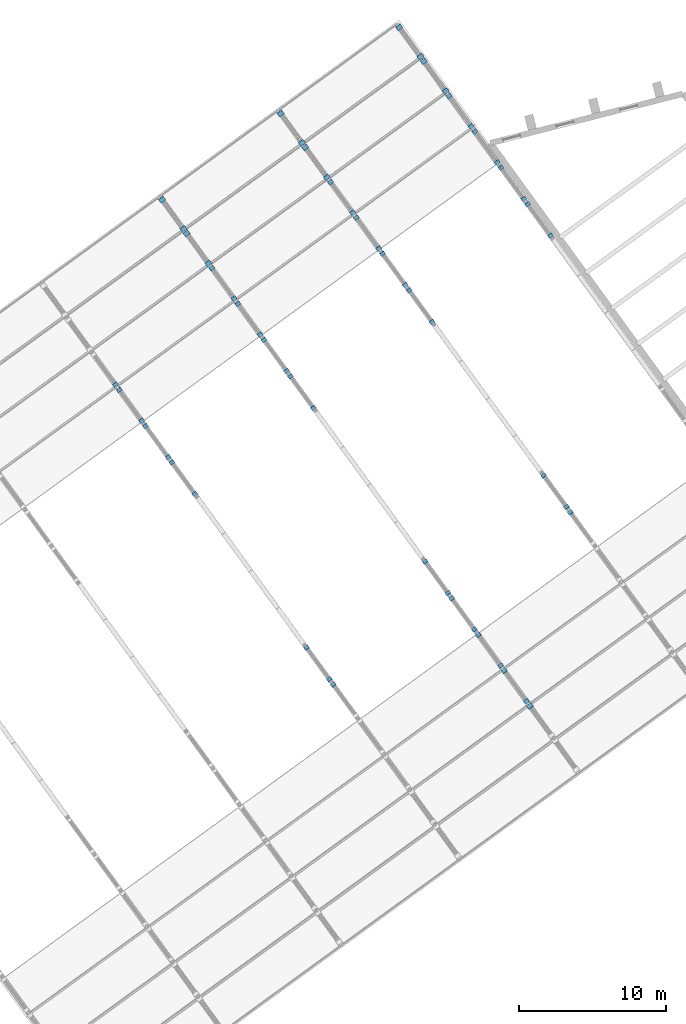
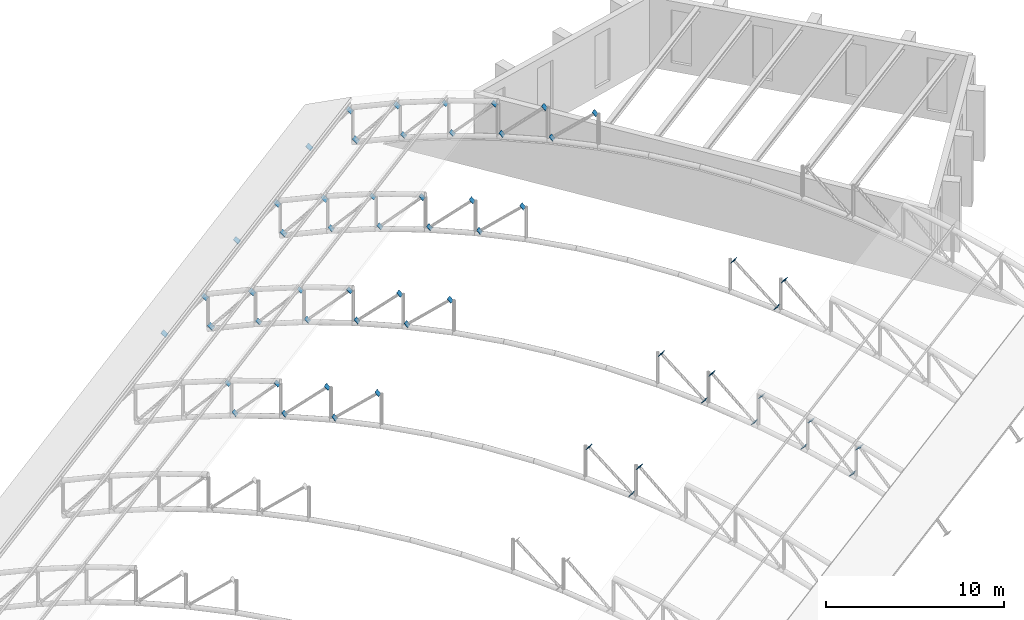
# One storey, part 66 of 69: 58 discrete accessories.
"""IFC4 building model written with IfcOpenShell, lengths in metres."""

import ifcopenshell
import ifcopenshell.guid

model = None  # the IFC model being written
_history = None  # IfcOwnerHistory: only IFC2X3 demands one
_inside = {}  # id of a spatial element -> (the spatial element, [elements in it])
_under = {}  # id of a project, library or spatial element -> (it, [spatial elements below it])
_declared = {}  # id of a project -> (the project, [libraries it declares])
_typed = {}  # id of a type object -> (the type object, [elements of that type])
_made_of = {}  # id of a material, layer set ... -> (it, [elements and type objects made of it])


def new_model(schema):
    """Start an empty IFC model of exactly this schema.

    Asked for "IFC4X3", IfcOpenShell would pick the latest addendum, in which some entities
    have other attributes; the version numbers below select the first issue.
    IFC2X3 requires an IfcOwnerHistory on every rooted entity: one is made here for all.
    """
    global model, _history
    if schema == "IFC4X3":
        model = ifcopenshell.file(schema_version=(4, 3, 0, 0))
    else:
        model = ifcopenshell.file(schema=schema)
    _inside.clear()
    _under.clear()
    _declared.clear()
    _typed.clear()
    _made_of.clear()
    _history = None
    if model.schema == "IFC2X3":
        org = make("IfcOrganization", Name="unknown")
        user = make(
            "IfcPersonAndOrganization",
            ThePerson=make("IfcPerson", FamilyName="unknown"),
            TheOrganization=org,
        )
        app = make(
            "IfcApplication",
            ApplicationDeveloper=org,
            Version="unknown",
            ApplicationFullName="unknown",
            ApplicationIdentifier="unknown",
        )
        _history = make(
            "IfcOwnerHistory",
            OwningUser=user,
            OwningApplication=app,
            ChangeAction="ADDED",
            CreationDate=0,
        )
    return model


def make(cls, **values):
    """One entity of the class cls with the attributes given. An attribute that is None is left unset."""
    return model.create_entity(
        cls, **{name: value for name, value in values.items() if value is not None}
    )


def rooted(cls, **values):
    """An entity with a GlobalId (a new one), such as an element, a storey or a relation."""
    return make(cls, GlobalId=ifcopenshell.guid.new(), OwnerHistory=_history, **values)


def si_unit(unit_type, name, prefix=None):
    """IfcSIUnit, for example si_unit("LENGTHUNIT", "METRE", prefix="MILLI")."""
    return make("IfcSIUnit", UnitType=unit_type, Prefix=prefix, Name=name)


def assignment(units):
    """IfcUnitAssignment: the units of a project."""
    return None if units is None else make("IfcUnitAssignment", Units=units)


def point(xyz):
    """IfcCartesianPoint."""
    return None if xyz is None else make("IfcCartesianPoint", Coordinates=xyz)


def direction(xyz):
    """IfcDirection."""
    return None if xyz is None else make("IfcDirection", DirectionRatios=xyz)


def frame(location, z_axis=None, x_axis=None):
    """IfcAxis2Placement3D, a coordinate frame: its origin and axes. An axis left out is left unset."""
    return make(
        "IfcAxis2Placement3D",
        Location=point(location),
        Axis=direction(z_axis),
        RefDirection=direction(x_axis),
    )


def frame_2d(location, x_axis=None):
    """IfcAxis2Placement2D, a coordinate frame in the plane: its origin and x axis."""
    return make(
        "IfcAxis2Placement2D", Location=point(location), RefDirection=direction(x_axis)
    )


def origin():
    """The frame at (0, 0, 0) with its axes left unset."""
    return frame((0.0, 0.0, 0.0))


def origin_2d():
    """The frame at (0, 0) in the plane with its x axis left unset."""
    return frame_2d((0.0, 0.0))


def place(relative_to, where):
    """IfcLocalPlacement: puts the frame where relative to a parent placement (None: the world)."""
    return make(
        "IfcLocalPlacement", PlacementRelTo=relative_to, RelativePlacement=where
    )


def context(
    kind, dimensions, precision=None, world=None, true_north=None, identifier=None
):
    """IfcGeometricRepresentationContext, for example the 3D "Model" context."""
    return make(
        "IfcGeometricRepresentationContext",
        ContextIdentifier=identifier,
        ContextType=kind,
        CoordinateSpaceDimension=dimensions,
        Precision=precision,
        WorldCoordinateSystem=world,
        TrueNorth=true_north,
    )


def subcontext(parent, identifier, kind, view, scale=None):
    """IfcGeometricRepresentationSubContext, for example "Body" below "Model"."""
    return make(
        "IfcGeometricRepresentationSubContext",
        ContextIdentifier=identifier,
        ContextType=kind,
        ParentContext=parent,
        TargetScale=scale,
        TargetView=view,
    )


def project(units=None, contexts=None):
    """IfcProject with its units and contexts."""
    return rooted(
        "IfcProject",
        Name="project",
        RepresentationContexts=contexts,
        UnitsInContext=assignment(units),
    )


def spatial(cls, under=None, at=None, **own):
    """A site, building, storey or space (cls), placed at a placement, below another one or the project."""
    s = rooted(cls, ObjectPlacement=at, **own)
    if under is not None:
        _under.setdefault(under.id(), (under, []))[1].append(s)
    return s


def profile(cls, at=None, kind="AREA", **sizes):
    """A parametric profile (cls). Its sizes go by their IFC names, for example OverallWidth=200.0."""
    return make(cls, ProfileType=kind, Position=at, **sizes)


def rectangle(**sizes):
    """IfcRectangleProfileDef."""
    return profile("IfcRectangleProfileDef", **sizes)


def extrude(swept, where, along, depth):
    """IfcExtrudedAreaSolid: the profile swept, set in the frame where, extruded along a direction by depth."""
    return make(
        "IfcExtrudedAreaSolid",
        SweptArea=swept,
        Position=where,
        ExtrudedDirection=direction(along),
        Depth=depth,
    )


def shape(context_of_items, identifier, shape_type, items):
    """IfcShapeRepresentation: the items that make up one representation, for example the "Body"."""
    return make(
        "IfcShapeRepresentation",
        ContextOfItems=context_of_items,
        RepresentationIdentifier=identifier,
        RepresentationType=shape_type,
        Items=items,
    )


def material(Name=None, Category=None):
    """IfcMaterial."""
    return make("IfcMaterial", Name=Name, Category=Category)


def layer(
    of_material, thickness, ventilated=None, Name=None, Category=None, Priority=None
):
    """IfcMaterialLayer: one layer of a wall or slab, of a material (None: an air gap)."""
    return make(
        "IfcMaterialLayer",
        Material=of_material,
        LayerThickness=thickness,
        IsVentilated=ventilated,
        Name=Name,
        Category=Category,
        Priority=Priority,
    )


def layer_set(layers, Name=None):
    """IfcMaterialLayerSet."""
    return make("IfcMaterialLayerSet", MaterialLayers=layers, LayerSetName=Name)


def made_of(thing, what):
    """Note that an element or type object is made of a material, layer set ...; save() writes the relation."""
    if what is not None:
        _made_of.setdefault(what.id(), (what, []))[1].append(thing)
    return thing


def type_object(cls, material=None, **own):
    """A type object (cls), such as IfcWallType, which elements share."""
    return made_of(rooted(cls, **own), material)


def element(
    cls,
    number,
    at=None,
    inside=None,
    cuts=None,
    type_object=None,
    material=None,
    context=None,
    identifier="Body",
    shape_type=None,
    held_by="IfcProductDefinitionShape",
    body=None,
    shapes=None,
    **own,
):
    """One element of the class cls, such as IfcWall. Its Tag is "e" and its number.

    at: its placement. inside: the storey or other place that contains it. cuts: it is an
    opening in that element (IfcRelVoidsElement). A single representation is given by context,
    identifier, shape_type and body (its items); several are given by shapes. held_by: the class
    of the entity that holds the representations. save() writes the other relations.
    """
    e = rooted(cls, Tag="e%d" % number, ObjectPlacement=at, **own)
    if body is not None:
        shapes = [shape(context, identifier, shape_type, body)]
    if shapes is not None:
        e.Representation = make(held_by, Representations=shapes)
    if inside is not None:
        _inside.setdefault(inside.id(), (inside, []))[1].append(e)
    if cuts is not None:
        rooted(
            "IfcRelVoidsElement", RelatingBuildingElement=cuts, RelatedOpeningElement=e
        )
    if type_object is not None:
        _typed.setdefault(type_object.id(), (type_object, []))[1].append(e)
    return made_of(e, material)


def aggregate(whole, parts):
    """IfcRelAggregates: a whole, such as a stair, and the parts it consists of."""
    return rooted("IfcRelAggregates", RelatingObject=whole, RelatedObjects=parts)


def save(model, path):
    """Write the relations noted so far, then the file.

    IfcRelAggregates (storeys below a building ...), IfcRelContainedInSpatialStructure (elements
    in a storey), IfcRelDefinesByType, IfcRelAssociatesMaterial and IfcRelDeclares: one each for
    every whole, place, type object, material and project.
    """
    for whole, parts in _under.values():
        aggregate(whole, parts)
    for where, things in _inside.values():
        rooted(
            "IfcRelContainedInSpatialStructure",
            RelatedElements=things,
            RelatingStructure=where,
        )
    for kind, things in _typed.values():
        rooted("IfcRelDefinesByType", RelatedObjects=things, RelatingType=kind)
    for what, things in _made_of.values():
        rooted("IfcRelAssociatesMaterial", RelatedObjects=things, RelatingMaterial=what)
    for by, libraries in _declared.values():
        rooted("IfcRelDeclares", RelatingContext=by, RelatedDefinitions=libraries)
    model.write(path)


model = new_model("IFC4")

# Units and contexts
model_context = context("Model", 3, precision=1e-05, world=origin(), true_north=direction((0.0, 1.0)))
body_context = subcontext(model_context, "Body", "Model", "MODEL_VIEW")
ifc_project = project(units=[si_unit("LENGTHUNIT", "METRE"), si_unit("AREAUNIT", "SQUARE_METRE"), si_unit("VOLUMEUNIT", "CUBIC_METRE"), si_unit("PLANEANGLEUNIT", "RADIAN"), si_unit("MASSUNIT", "GRAM", prefix="KILO")], contexts=[model_context])

# Site, building, storey
site_placement = place(None, origin())
site = spatial("IfcSite", under=ifc_project, at=site_placement, CompositionType="ELEMENT")
building_placement = place(site_placement, origin())
building = spatial("IfcBuilding", under=site, at=building_placement, Name="Okhra Congress Centre", CompositionType="ELEMENT")
storey_placement = place(building_placement, frame((0.0, 0.0, 16.800048828125)))
storey = spatial("IfcBuildingStorey", under=building, at=storey_placement, Name="L03", CompositionType="ELEMENT", Elevation=16.800048828125)

# Discrete accessories
ifc_material = material(Name="Steel S355J2", Category="steel")
ifc_layer = layer(ifc_material, 0.02001953125)
ifc_layer_set = layer_set([ifc_layer], Name="Brace end connection plate 20 mm S355")
discrete_accessory_type = type_object("IfcDiscreteAccessoryType", Name="Brace end connection plate 20 mm S355", PredefinedType="BRACKET", material=ifc_layer_set)
for number, where, z_axis, x_axis, name in (
    (1, (243.85498046875, 187.8173828125, 5.24169921875), (-0.414480070253, 0.572957744174, 0.707054237491), (-0.81022441079, -0.586119786529, 0.0), "Brace end connection plate"),
    (2, (243.577880859375, 188.198974609375, 3.290283203125), (0.429165270787, -0.600831379102, -0.67440256838), (0.813733471207, 0.581238193719, 0.0), "Brace end connection plate"),
    (3, (242.028564453125, 190.331298828125, 5.7119140625), (-0.439089696959, 0.597649865305, 0.670831481465), (-0.805881812891, -0.592076433961, 0.0), "Brace end connection plate"),
    (4, (232.84375, 202.972900390625, 3.290283203125), (-0.429165270787, 0.600831379102, -0.67440256838), (-0.813733471207, -0.581238193719, 0.0), "Brace end connection plate"),
):
    element("IfcDiscreteAccessory", number, at=place(storey_placement, frame(where, z_axis=z_axis, x_axis=x_axis)), inside=storey, type_object=discrete_accessory_type, Name=name, PredefinedType="BRACKET", context=body_context, shape_type="SweptSolid", body=[
        extrude(rectangle(XDim=0.3369140625, YDim=0.3369140625, at=origin_2d()), origin(), (0.0, 0.0, 1.0), 0.02001953125),
    ])
for number, where, z_axis, x_axis, name in (
    (5, (234.39306640625, 200.84033203125, 5.7119140625), (0.44229248412, -0.589723312161, 0.675724628517), (0.8, 0.6, 0.0), "Brace end connection plate"),
    (6, (231.035888671875, 205.461181640625, 2.67236328125), (-0.418067898873, 0.577917389618, -0.700878536345), (-0.81022441079, -0.586119786529, 0.0), "Brace end connection plate"),
):
    element("IfcDiscreteAccessory", number, at=place(storey_placement, frame(where, z_axis=z_axis, x_axis=x_axis)), inside=storey, type_object=discrete_accessory_type, Name=name, PredefinedType="BRACKET", context=body_context, shape_type="SweptSolid", body=[
        extrude(rectangle(XDim=0.3369140625, YDim=0.3369140625, at=origin_2d()), origin(), (0.0, 0.0, 1.0), 0.019775390625),
    ])
for number, where, z_axis, x_axis, name in (
    (7, (232.566650390625, 203.3544921875, 5.24169921875), (0.414480070253, -0.572957744174, 0.707054237491), (0.81022441079, 0.586119786529, 0.0), "Brace end connection plate"),
    (8, (229.243896484375, 207.927734375, 1.861572265625), (-0.400036736006, 0.557626965342, -0.727339520011), (-0.81253825063, -0.582907875452, 0.0), "Brace end connection plate"),
):
    element("IfcDiscreteAccessory", number, at=place(storey_placement, frame(where, z_axis=z_axis, x_axis=x_axis)), inside=storey, type_object=discrete_accessory_type, Name=name, PredefinedType="BRACKET", context=body_context, shape_type="SweptSolid", body=[
        extrude(rectangle(XDim=0.3369140625, YDim=0.3369140625, at=origin_2d()), origin(), (0.0, 0.0, 1.0), 0.02001953125),
    ])
discrete_accessory_1_placement = place(storey_placement, frame((230.7587890625, 205.8427734375, 4.5908203125), z_axis=(0.406355872074, -0.554121643737, 0.726515044011), x_axis=(0.806404995856, 0.591363663628, 0.0)))
element("IfcDiscreteAccessory", 9, at=discrete_accessory_1_placement, inside=storey, type_object=discrete_accessory_type, Name="Brace end connection plate", PredefinedType="BRACKET", context=body_context, shape_type="SweptSolid", body=[
    extrude(rectangle(XDim=0.3369140625, YDim=0.3369140625, at=origin_2d()), origin(), (0.0, 0.0, 1.0), 0.019775390625),
])
discrete_accessory_2_placement = place(storey_placement, frame((228.9755859375, 208.297119140625, 3.760986328125), z_axis=(0.391497724761, -0.538309371546, 0.746292537825), x_axis=(0.808736084303, 0.588171697675, 0.0)))
element("IfcDiscreteAccessory", 10, at=discrete_accessory_2_placement, inside=storey, type_object=discrete_accessory_type, Name="Brace end connection plate", PredefinedType="BRACKET", context=body_context, shape_type="SweptSolid", body=[
    extrude(rectangle(XDim=0.3369140625, YDim=0.3369140625, at=origin_2d()), origin(), (0.0, 0.0, 1.0), 0.02001953125),
])
discrete_accessory_3_placement = place(storey_placement, frame((257.27783203125, 186.35546875, 2.777099609375), z_axis=(-0.378894969968, 0.513341572215, 0.770012358322), x_axis=(-0.804574079586, -0.593852296837, 0.0)))
element("IfcDiscreteAccessory", 11, at=discrete_accessory_3_placement, inside=storey, type_object=discrete_accessory_type, Name="Brace end connection plate", PredefinedType="BRACKET", context=body_context, shape_type="SweptSolid", body=[
    extrude(rectangle(XDim=0.386962890625, YDim=0.386962890625, at=origin_2d()), origin(), (0.0, 0.0, 1.0), 0.02001953125),
])
for number, where, z_axis, x_axis, name in (
    (12, (257.0283203125, 186.69873046875, 0.876220703125), (0.391497724761, -0.538309371546, -0.746292537825), (0.808736084303, 0.588171697675, 0.0), "Brace end connection plate"),
    (13, (255.5361328125, 188.752685546875, 3.760986328125), (-0.391497724761, 0.538309371546, 0.746292537825), (-0.808736084303, -0.588171697675, 0.0), "Brace end connection plate"),
    (14, (255.267822265625, 189.121826171875, 1.861572265625), (0.400036736006, -0.557626965342, -0.727339520011), (0.81253825063, 0.582907875452, 0.0), "Brace end connection plate"),
    (15, (253.753173828125, 191.206787109375, 4.5908203125), (-0.413742888576, 0.559769790426, 0.717965600764), (-0.804176141466, -0.594391061084, 0.0), "Brace end connection plate"),
):
    element("IfcDiscreteAccessory", number, at=place(storey_placement, frame(where, z_axis=z_axis, x_axis=x_axis)), inside=storey, type_object=discrete_accessory_type, Name=name, PredefinedType="BRACKET", context=body_context, shape_type="SweptSolid", body=[
        extrude(rectangle(XDim=0.3369140625, YDim=0.3369140625, at=origin_2d()), origin(), (0.0, 0.0, 1.0), 0.02001953125),
    ])
discrete_accessory_4_placement = place(storey_placement, frame((253.475830078125, 191.58837890625, 2.67236328125), z_axis=(0.418067898873, -0.577917389618, -0.700878536345), x_axis=(0.81022441079, 0.586119786529, 0.0)))
element("IfcDiscreteAccessory", 16, at=discrete_accessory_4_placement, inside=storey, type_object=discrete_accessory_type, Name="Brace end connection plate", PredefinedType="BRACKET", context=body_context, shape_type="SweptSolid", body=[
    extrude(rectangle(XDim=0.3369140625, YDim=0.3369140625, at=origin_2d()), origin(), (0.0, 0.0, 1.0), 0.019775390625),
])
discrete_accessory_5_placement = place(storey_placement, frame((251.945068359375, 193.695068359375, 5.24169921875), z_axis=(-0.411584876058, 0.581061001493, 0.702115376804), x_axis=(-0.816024481102, -0.57801734078, 0.0)))
element("IfcDiscreteAccessory", 17, at=discrete_accessory_5_placement, inside=storey, type_object=discrete_accessory_type, Name="Brace end connection plate", PredefinedType="BRACKET", context=body_context, shape_type="SweptSolid", body=[
    extrude(rectangle(XDim=0.3369140625, YDim=0.3369140625, at=origin_2d()), origin(), (0.0, 0.0, 1.0), 0.020263671875),
])
for number, where, z_axis, x_axis, name in (
    (18, (251.66796875, 194.07666015625, 3.290283203125), (0.429165270787, -0.600831379102, -0.67440256838), (0.813733471207, 0.581238193719, 0.0), "Brace end connection plate"),
    (19, (250.11865234375, 196.209228515625, 5.7119140625), (-0.439089696959, 0.597649865305, 0.670831481465), (-0.805881812891, -0.592076433961, 0.0), "Brace end connection plate"),
    (20, (240.93408203125, 208.850830078125, 3.290283203125), (-0.439089696959, 0.597649865305, -0.670831481465), (-0.805881812891, -0.592076433961, 0.0), "Brace end connection plate"),
    (21, (242.4833984375, 206.71826171875, 5.7119140625), (0.429165270787, -0.600831379102, 0.67440256838), (0.813733471207, 0.581238193719, 0.0), "Brace end connection plate"),
    (22, (239.126220703125, 211.339111328125, 2.67236328125), (-0.428136558546, 0.574926235762, -0.697250966775), (-0.80204311034, -0.597266145998, 0.0), "Brace end connection plate"),
):
    element("IfcDiscreteAccessory", number, at=place(storey_placement, frame(where, z_axis=z_axis, x_axis=x_axis)), inside=storey, type_object=discrete_accessory_type, Name=name, PredefinedType="BRACKET", context=body_context, shape_type="SweptSolid", body=[
        extrude(rectangle(XDim=0.3369140625, YDim=0.3369140625, at=origin_2d()), origin(), (0.0, 0.0, 1.0), 0.02001953125),
    ])
discrete_accessory_6_placement = place(storey_placement, frame((240.65673828125, 209.232421875, 5.24169921875), z_axis=(0.411584876058, -0.581061001493, 0.702115376804), x_axis=(0.816024481102, 0.57801734078, 0.0)))
element("IfcDiscreteAccessory", 23, at=discrete_accessory_6_placement, inside=storey, type_object=discrete_accessory_type, Name="Brace end connection plate", PredefinedType="BRACKET", context=body_context, shape_type="SweptSolid", body=[
    extrude(rectangle(XDim=0.3369140625, YDim=0.3369140625, at=origin_2d()), origin(), (0.0, 0.0, 1.0), 0.020263671875),
])
for number, where, z_axis, x_axis, name in (
    (24, (237.333984375, 213.8056640625, 1.861572265625), (-0.400036736006, 0.557626965342, -0.727339520011), (-0.81253825063, -0.582907875452, 0.0), "Brace end connection plate"),
    (25, (238.848876953125, 211.720703125, 4.5908203125), (0.403581038704, -0.562567508496, 0.721553978288), (0.81253825063, 0.582907875452, 0.0), "Brace end connection plate"),
    (26, (235.573486328125, 216.228759765625, 0.876220703125), (-0.391497724761, 0.538309371546, -0.746292537825), (-0.808736084303, -0.588171697675, 0.0), "Brace end connection plate"),
):
    element("IfcDiscreteAccessory", number, at=place(storey_placement, frame(where, z_axis=z_axis, x_axis=x_axis)), inside=storey, type_object=discrete_accessory_type, Name=name, PredefinedType="BRACKET", context=body_context, shape_type="SweptSolid", body=[
        extrude(rectangle(XDim=0.3369140625, YDim=0.3369140625, at=origin_2d()), origin(), (0.0, 0.0, 1.0), 0.02001953125),
    ])
discrete_accessory_7_placement = place(storey_placement, frame((237.065673828125, 214.1748046875, 3.760986328125), z_axis=(0.394071935469, -0.529534163287, 0.751199626988), x_axis=(0.802233221274, 0.59701076932, 0.0)))
element("IfcDiscreteAccessory", 27, at=discrete_accessory_7_placement, inside=storey, type_object=discrete_accessory_type, Name="Brace end connection plate", PredefinedType="BRACKET", context=body_context, shape_type="SweptSolid", body=[
    extrude(rectangle(XDim=0.3369140625, YDim=0.3369140625, at=origin_2d()), origin(), (0.0, 0.0, 1.0), 0.019775390625),
])
discrete_accessory_8_placement = place(storey_placement, frame((233.85009765625, 218.600830078125, -0.28076171875), z_axis=(-0.364878191558, 0.510829468181, -0.778406808657), x_axis=(-0.813733471207, -0.581238193719, 0.0)))
element("IfcDiscreteAccessory", 28, at=discrete_accessory_8_placement, inside=storey, type_object=discrete_accessory_type, Name="Brace end connection plate", PredefinedType="BRACKET", context=body_context, shape_type="SweptSolid", body=[
    extrude(rectangle(XDim=0.386962890625, YDim=0.386962890625, at=origin_2d()), origin(), (0.0, 0.0, 1.0), 0.02001953125),
])
discrete_accessory_9_placement = place(storey_placement, frame((235.32421875, 216.572021484375, 2.777099609375), z_axis=(0.368354734342, -0.515696628079, 0.773544942118), x_axis=(0.813733471207, 0.581238193719, 0.0)))
element("IfcDiscreteAccessory", 29, at=discrete_accessory_9_placement, inside=storey, type_object=discrete_accessory_type, Name="Brace end connection plate", PredefinedType="BRACKET", context=body_context, shape_type="SweptSolid", body=[
    extrude(rectangle(XDim=0.386962890625, YDim=0.386962890625, at=origin_2d()), origin(), (0.0, 0.0, 1.0), 0.019775390625),
])
for number, where, z_axis, x_axis, name in (
    (30, (232.169677734375, 220.913818359375, -1.60595703125), (-0.355193772836, 0.489922445291, -0.796123973598), (-0.809610443394, -0.586967571461, 0.0), "Brace end connection plate"),
    (31, (233.615478515625, 218.923828125, 1.614990234375), (0.355193772836, -0.489922445291, 0.796123973598), (0.809610443394, 0.586967571461, 0.0), "Brace end connection plate"),
):
    element("IfcDiscreteAccessory", number, at=place(storey_placement, frame(where, z_axis=z_axis, x_axis=x_axis)), inside=storey, type_object=discrete_accessory_type, Name=name, PredefinedType="BRACKET", context=body_context, shape_type="SweptSolid", body=[
        extrude(rectangle(XDim=0.386962890625, YDim=0.386962890625, at=origin_2d()), origin(), (0.0, 0.0, 1.0), 0.02001953125),
    ])
for number, where, z_axis, x_axis, name in (
    (32, (260.035400390625, 199.572998046875, 5.24169921875), (-0.414480070253, 0.572957744174, 0.707054237491), (-0.81022441079, -0.586119786529, 0.0), "Brace end connection plate"),
    (33, (259.758056640625, 199.95458984375, 3.290283203125), (0.439089696959, -0.597649865305, -0.670831481465), (0.805881812891, 0.592076433961, 0.0), "Brace end connection plate"),
):
    element("IfcDiscreteAccessory", number, at=place(storey_placement, frame(where, z_axis=z_axis, x_axis=x_axis)), inside=storey, type_object=discrete_accessory_type, Name=name, PredefinedType="BRACKET", context=body_context, shape_type="SweptSolid", body=[
        extrude(rectangle(XDim=0.3369140625, YDim=0.3369140625, at=origin_2d()), origin(), (0.0, 0.0, 1.0), 0.02001953125),
    ])
discrete_accessory_10_placement = place(storey_placement, frame((258.208740234375, 202.087158203125, 5.7119140625), z_axis=(-0.432329455405, 0.592908967412, 0.679374858493), x_axis=(-0.808007530216, -0.589172157449, 0.0)))
element("IfcDiscreteAccessory", 34, at=discrete_accessory_10_placement, inside=storey, type_object=discrete_accessory_type, Name="Brace end connection plate", PredefinedType="BRACKET", context=body_context, shape_type="SweptSolid", body=[
    extrude(rectangle(XDim=0.3369140625, YDim=0.3369140625, at=origin_2d()), origin(), (0.0, 0.0, 1.0), 0.019775390625),
])
for number, where, z_axis, x_axis, name in (
    (35, (249.024169921875, 214.728515625, 3.290283203125), (-0.439089696959, 0.597649865305, -0.670831481465), (-0.805881812891, -0.592076433961, 0.0), "Brace end connection plate"),
    (36, (250.573486328125, 212.59619140625, 5.7119140625), (0.429165270787, -0.600831379102, 0.67440256838), (0.813733471207, 0.581238193719, 0.0), "Brace end connection plate"),
):
    element("IfcDiscreteAccessory", number, at=place(storey_placement, frame(where, z_axis=z_axis, x_axis=x_axis)), inside=storey, type_object=discrete_accessory_type, Name=name, PredefinedType="BRACKET", context=body_context, shape_type="SweptSolid", body=[
        extrude(rectangle(XDim=0.3369140625, YDim=0.3369140625, at=origin_2d()), origin(), (0.0, 0.0, 1.0), 0.02001953125),
    ])
discrete_accessory_11_placement = place(storey_placement, frame((247.21630859375, 217.217041015625, 2.67236328125), z_axis=(-0.418067898873, 0.577917389618, -0.700878536345), x_axis=(-0.81022441079, -0.586119786529, 0.0)))
element("IfcDiscreteAccessory", 37, at=discrete_accessory_11_placement, inside=storey, type_object=discrete_accessory_type, Name="Brace end connection plate", PredefinedType="BRACKET", context=body_context, shape_type="SweptSolid", body=[
    extrude(rectangle(XDim=0.3369140625, YDim=0.3369140625, at=origin_2d()), origin(), (0.0, 0.0, 1.0), 0.019775390625),
])
for number, where, z_axis, x_axis, name in (
    (38, (248.746826171875, 215.110107421875, 5.24169921875), (0.424499774842, -0.570042554788, 0.703456769738), (0.80204311034, 0.597266145998, 0.0), "Brace end connection plate"),
    (39, (245.424072265625, 219.68359375, 1.861572265625), (-0.402738614266, 0.549189019454, -0.732252025938), (-0.806404995856, -0.591363663628, 0.0), "Brace end connection plate"),
    (40, (246.93896484375, 217.5986328125, 4.5908203125), (0.403581038704, -0.562567508496, 0.721553978288), (0.81253825063, 0.582907875452, 0.0), "Brace end connection plate"),
    (41, (243.663818359375, 222.106689453125, 0.876220703125), (-0.391497724761, 0.538309371546, -0.746292537825), (-0.808736084303, -0.588171697675, 0.0), "Brace end connection plate"),
    (42, (245.156005859375, 220.052734375, 3.760986328125), (0.391497724761, -0.538309371546, 0.746292537825), (0.808736084303, 0.588171697675, 0.0), "Brace end connection plate"),
):
    element("IfcDiscreteAccessory", number, at=place(storey_placement, frame(where, z_axis=z_axis, x_axis=x_axis)), inside=storey, type_object=discrete_accessory_type, Name=name, PredefinedType="BRACKET", context=body_context, shape_type="SweptSolid", body=[
        extrude(rectangle(XDim=0.3369140625, YDim=0.3369140625, at=origin_2d()), origin(), (0.0, 0.0, 1.0), 0.02001953125),
    ])
discrete_accessory_12_placement = place(storey_placement, frame((241.9404296875, 224.478759765625, -0.28076171875), z_axis=(-0.375351079366, 0.508540172044, -0.7749183574), x_axis=(-0.804574079586, -0.593852296837, 0.0)))
element("IfcDiscreteAccessory", 43, at=discrete_accessory_12_placement, inside=storey, type_object=discrete_accessory_type, Name="Brace end connection plate", PredefinedType="BRACKET", context=body_context, shape_type="SweptSolid", body=[
    extrude(rectangle(XDim=0.386962890625, YDim=0.386962890625, at=origin_2d()), origin(), (0.0, 0.0, 1.0), 0.020263671875),
])
for number, where, z_axis, x_axis, name in (
    (44, (243.414306640625, 222.449951171875, 2.777099609375), (0.378894969968, -0.513341572215, 0.770012358322), (0.804574079586, 0.593852296837, 0.0), "Brace end connection plate"),
    (45, (240.259765625, 226.791748046875, -1.60595703125), (-0.355193772836, 0.489922445291, -0.796123973598), (-0.809610443394, -0.586967571461, 0.0), "Brace end connection plate"),
    (46, (241.70556640625, 224.8017578125, 1.614990234375), (0.363643042174, -0.496978824305, 0.787893258044), (0.807030325658, 0.590509994384, 0.0), "Brace end connection plate"),
):
    element("IfcDiscreteAccessory", number, at=place(storey_placement, frame(where, z_axis=z_axis, x_axis=x_axis)), inside=storey, type_object=discrete_accessory_type, Name=name, PredefinedType="BRACKET", context=body_context, shape_type="SweptSolid", body=[
        extrude(rectangle(XDim=0.386962890625, YDim=0.386962890625, at=origin_2d()), origin(), (0.0, 0.0, 1.0), 0.02001953125),
    ])
for number, where, z_axis, x_axis, name in (
    (47, (257.1142578125, 220.6064453125, 3.290283203125), (-0.429165270787, 0.600831379102, -0.67440256838), (-0.813733471207, -0.581238193719, 0.0), "Brace end connection plate"),
    (48, (258.66357421875, 218.47412109375, 5.7119140625), (0.439089696959, -0.597649865305, 0.670831481465), (0.805881812891, 0.592076433961, 0.0), "Brace end connection plate"),
):
    element("IfcDiscreteAccessory", number, at=place(storey_placement, frame(where, z_axis=z_axis, x_axis=x_axis)), inside=storey, type_object=discrete_accessory_type, Name=name, PredefinedType="BRACKET", context=body_context, shape_type="SweptSolid", body=[
        extrude(rectangle(XDim=0.3369140625, YDim=0.3369140625, at=origin_2d()), origin(), (0.0, 0.0, 1.0), 0.02001953125),
    ])
discrete_accessory_13_placement = place(storey_placement, frame((255.306396484375, 223.0947265625, 2.67236328125), z_axis=(-0.418067898873, 0.577917389618, -0.700878536345), x_axis=(-0.81022441079, -0.586119786529, 0.0)))
element("IfcDiscreteAccessory", 49, at=discrete_accessory_13_placement, inside=storey, type_object=discrete_accessory_type, Name="Brace end connection plate", PredefinedType="BRACKET", context=body_context, shape_type="SweptSolid", body=[
    extrude(rectangle(XDim=0.3369140625, YDim=0.3369140625, at=origin_2d()), origin(), (0.0, 0.0, 1.0), 0.019775390625),
])
for number, where, z_axis, x_axis, name in (
    (50, (256.837158203125, 220.988037109375, 5.24169921875), (0.414480070253, -0.572957744174, 0.707054237491), (0.81022441079, 0.586119786529, 0.0), "Brace end connection plate"),
    (51, (253.514404296875, 225.5615234375, 1.861572265625), (-0.402738614266, 0.549189019454, -0.732252025938), (-0.806404995856, -0.591363663628, 0.0), "Brace end connection plate"),
):
    element("IfcDiscreteAccessory", number, at=place(storey_placement, frame(where, z_axis=z_axis, x_axis=x_axis)), inside=storey, type_object=discrete_accessory_type, Name=name, PredefinedType="BRACKET", context=body_context, shape_type="SweptSolid", body=[
        extrude(rectangle(XDim=0.3369140625, YDim=0.3369140625, at=origin_2d()), origin(), (0.0, 0.0, 1.0), 0.02001953125),
    ])
discrete_accessory_14_placement = place(storey_placement, frame((255.029296875, 223.476318359375, 4.5908203125), z_axis=(0.406355872074, -0.554121643737, 0.726515044011), x_axis=(0.806404995856, 0.591363663628, 0.0)))
element("IfcDiscreteAccessory", 52, at=discrete_accessory_14_placement, inside=storey, type_object=discrete_accessory_type, Name="Brace end connection plate", PredefinedType="BRACKET", context=body_context, shape_type="SweptSolid", body=[
    extrude(rectangle(XDim=0.3369140625, YDim=0.3369140625, at=origin_2d()), origin(), (0.0, 0.0, 1.0), 0.019775390625),
])
for number, where, z_axis, x_axis, name in (
    (53, (251.75390625, 227.984375, 0.876220703125), (-0.391497724761, 0.538309371546, -0.746292537825), (-0.808736084303, -0.588171697675, 0.0), "Brace end connection plate"),
    (54, (253.24609375, 225.9306640625, 3.760986328125), (0.391497724761, -0.538309371546, 0.746292537825), (0.808736084303, 0.588171697675, 0.0), "Brace end connection plate"),
):
    element("IfcDiscreteAccessory", number, at=place(storey_placement, frame(where, z_axis=z_axis, x_axis=x_axis)), inside=storey, type_object=discrete_accessory_type, Name=name, PredefinedType="BRACKET", context=body_context, shape_type="SweptSolid", body=[
        extrude(rectangle(XDim=0.3369140625, YDim=0.3369140625, at=origin_2d()), origin(), (0.0, 0.0, 1.0), 0.02001953125),
    ])
discrete_accessory_15_placement = place(storey_placement, frame((250.030517578125, 230.3564453125, -0.28076171875), z_axis=(-0.375351079366, 0.508540172044, -0.7749183574), x_axis=(-0.804574079586, -0.593852296837, 0.0)))
element("IfcDiscreteAccessory", 55, at=discrete_accessory_15_placement, inside=storey, type_object=discrete_accessory_type, Name="Brace end connection plate", PredefinedType="BRACKET", context=body_context, shape_type="SweptSolid", body=[
    extrude(rectangle(XDim=0.386962890625, YDim=0.386962890625, at=origin_2d()), origin(), (0.0, 0.0, 1.0), 0.020263671875),
])
discrete_accessory_16_placement = place(storey_placement, frame((251.504638671875, 228.32763671875, 2.777099609375), z_axis=(0.368354734342, -0.515696628079, 0.773544942118), x_axis=(0.813733471207, 0.581238193719, 0.0)))
element("IfcDiscreteAccessory", 56, at=discrete_accessory_16_placement, inside=storey, type_object=discrete_accessory_type, Name="Brace end connection plate", PredefinedType="BRACKET", context=body_context, shape_type="SweptSolid", body=[
    extrude(rectangle(XDim=0.386962890625, YDim=0.386962890625, at=origin_2d()), origin(), (0.0, 0.0, 1.0), 0.019775390625),
])
for number, where, z_axis, x_axis, name in (
    (57, (248.349853515625, 232.669677734375, -1.60595703125), (-0.355193772836, 0.489922445291, -0.796123973598), (-0.809610443394, -0.586967571461, 0.0), "Brace end connection plate"),
    (58, (249.7958984375, 230.679443359375, 1.614990234375), (0.355193772836, -0.489922445291, 0.796123973598), (0.809610443394, 0.586967571461, 0.0), "Brace end connection plate"),
):
    element("IfcDiscreteAccessory", number, at=place(storey_placement, frame(where, z_axis=z_axis, x_axis=x_axis)), inside=storey, type_object=discrete_accessory_type, Name=name, PredefinedType="BRACKET", context=body_context, shape_type="SweptSolid", body=[
        extrude(rectangle(XDim=0.386962890625, YDim=0.386962890625, at=origin_2d()), origin(), (0.0, 0.0, 1.0), 0.02001953125),
    ])

save(model, "model.ifc")
